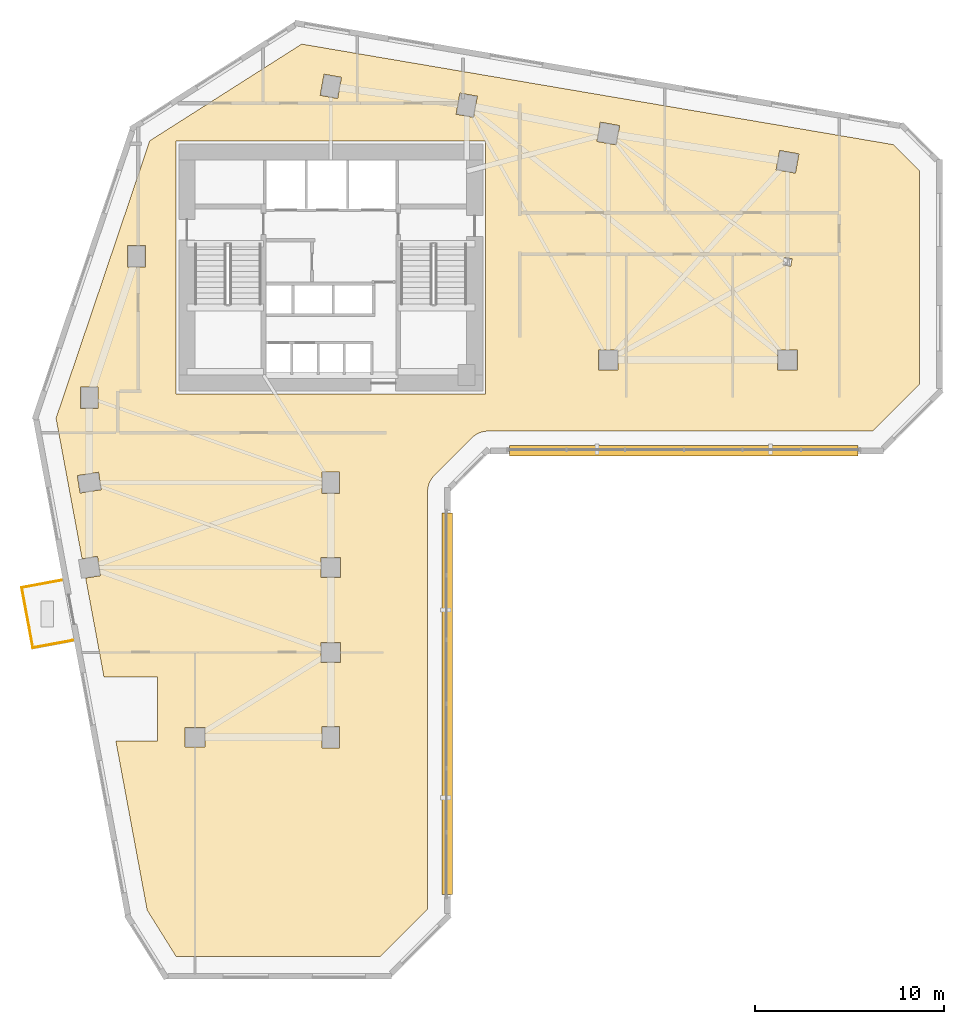
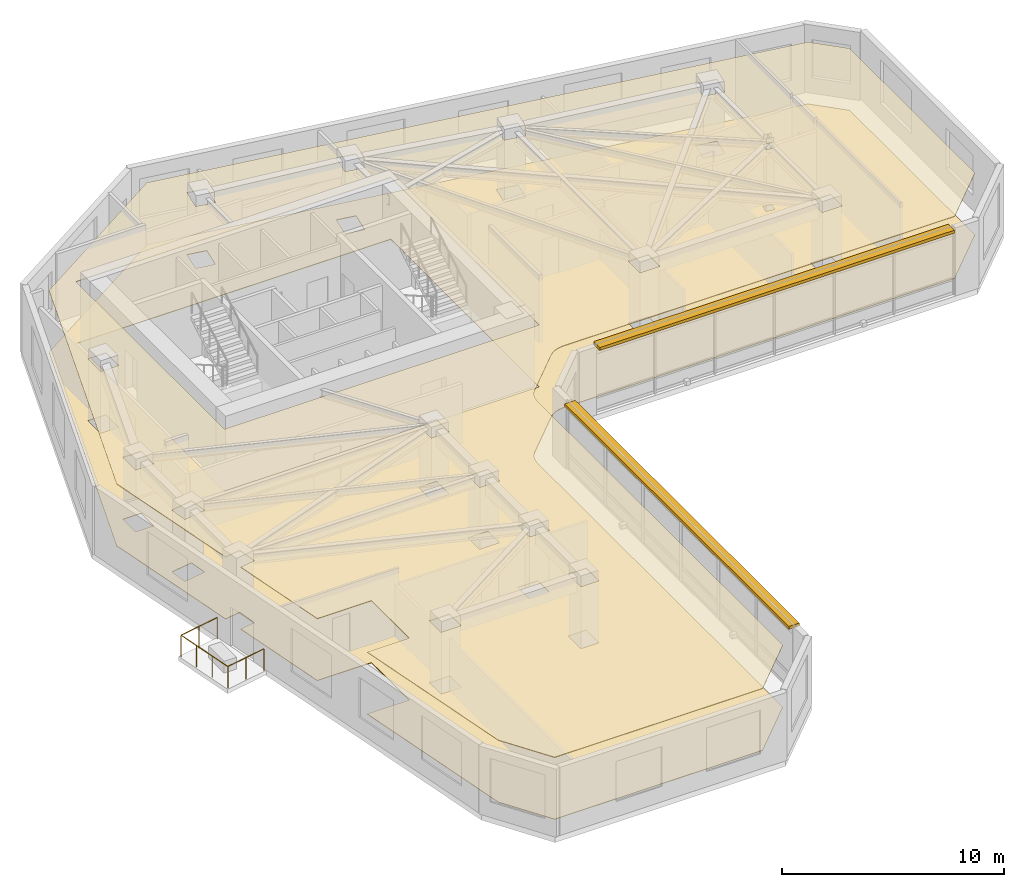
# One storey, part 8 of 9: 3 railings, 2 coverings, 2 shading devices.
"""IFC4 building model written with IfcOpenShell, lengths in metres."""

from ifc_helpers import new_model, si_unit, direction, frame, frame_2d, origin, origin_2d, place, context, subcontext, project, spatial, polyline, rectangle, circle, outline, extrude, material, layer, layer_set, type_object, element, save


model = new_model("IFC4")

# Units and contexts
model_context = context("Model", 3, precision=1e-05, world=origin(), true_north=direction((0.0, 1.0)))
body_context = subcontext(model_context, "Body", "Model", "MODEL_VIEW")
ifc_project = project(units=[si_unit("LENGTHUNIT", "METRE"), si_unit("AREAUNIT", "SQUARE_METRE"), si_unit("VOLUMEUNIT", "CUBIC_METRE"), si_unit("PLANEANGLEUNIT", "RADIAN"), si_unit("MASSUNIT", "GRAM", prefix="KILO")], contexts=[model_context])

# Site, building, storey
site_placement = place(None, origin())
site = spatial("IfcSite", under=ifc_project, at=site_placement, CompositionType="ELEMENT")
building_placement = place(site_placement, origin())
building = spatial("IfcBuilding", under=site, at=building_placement, Name="Calvemar Wedge Station Tower", CompositionType="ELEMENT")
storey_placement = place(building_placement, frame((0.0, 0.0, 63.0)))
storey = spatial("IfcBuildingStorey", under=building, at=storey_placement, Name="L15", CompositionType="ELEMENT", Elevation=63.0)

# Coverings
ifc_material_1 = material(Name="Acoustic mineral fibre ceiling board")
ifc_layer_1 = layer(ifc_material_1, 0.0400390625)
ifc_layer_set_1 = layer_set([ifc_layer_1], Name="Acoustic mineral fibre ceiling board")
covering_type_1 = type_object("IfcCoveringType", Name="COV-CEIL-ACOUSTIC", PredefinedType="CEILING", material=ifc_layer_set_1)
covering_1_placement = place(storey_placement, frame((0.0, 0.0, 3.39990234375)))
element("IfcCovering", 1, at=covering_1_placement, inside=storey, type_object=covering_type_1, Name="Storey L15 Acoustic Suspended Ceiling", PredefinedType="CEILING", context=body_context, shape_type="SweptSolid", body=[
    extrude(outline(polyline([(29.279541015625, 28.87646484375), (31.279541015625, 30.87646484375), (31.36669921875, 30.95556640625), (31.461181640625, 31.02587890625), (31.562255859375, 31.086181640625), (31.668701171875, 31.13671875), (31.77978515625, 31.17626953125), (31.893798828125, 31.204833984375), (32.010498046875, 31.22216796875), (32.1279296875, 31.22802734375), (52.5029296875, 31.22802734375), (55.0, 33.72509765625), (55.0, 45.031005859375), (53.621826171875, 46.408935546875), (22.25439453125, 51.739501953125), (14.201416015625, 46.614990234375), (9.23681640625, 31.911865234375), (10.6162109375, 24.465087890625), (11.43115234375, 24.595703125), (11.595703125, 23.56884765625), (10.805908203125, 23.4423828125), (11.777099609375, 18.199951171875), (14.60009765625, 18.199951171875), (14.60009765625, 14.800048828125), (12.406982421875, 14.800048828125), (14.06640625, 5.8427734375), (15.593017578125, 3.39990234375), (26.430908203125, 3.39990234375), (28.927978515625, 5.897216796875), (28.927978515625, 28.028076171875), (28.933837890625, 28.1455078125), (28.951171875, 28.26220703125), (28.979736328125, 28.376220703125), (29.019287109375, 28.4873046875), (29.069580078125, 28.59375), (29.130126953125, 28.694580078125), (29.200439453125, 28.789306640625), (29.279541015625, 28.87646484375)]), holes=[polyline([(15.60009765625, 46.60009765625), (32.0, 46.60009765625), (32.0, 33.199951171875), (15.60009765625, 33.199951171875), (15.60009765625, 46.60009765625)]), polyline([(10.530029296875, 32.429931640625), (10.530029296875, 33.570068359375), (11.469970703125, 33.570068359375), (11.469970703125, 32.429931640625), (10.530029296875, 32.429931640625)]), polyline([(13.030029296875, 41.070068359375), (13.969970703125, 41.070068359375), (13.969970703125, 39.929931640625), (13.030029296875, 39.929931640625), (13.030029296875, 41.070068359375)]), polyline([(24.363525390625, 49.977783203125), (24.16162109375, 48.855712890625), (23.236572265625, 49.022216796875), (23.4384765625, 50.144287109375), (24.363525390625, 49.977783203125)]), polyline([(31.361572265625, 47.855712890625), (30.4365234375, 48.022216796875), (30.638427734375, 49.144287109375), (31.5634765625, 48.977783203125), (31.361572265625, 47.855712890625)]), polyline([(37.89599609375, 46.580322265625), (38.080322265625, 47.60400390625), (39.10400390625, 47.419677734375), (38.919677734375, 46.39599609375), (37.89599609375, 46.580322265625)]), polyline([(47.580322265625, 46.10400390625), (48.60400390625, 45.919677734375), (48.419677734375, 44.89599609375), (47.39599609375, 45.080322265625), (47.580322265625, 46.10400390625)]), polyline([(39.02001953125, 35.52001953125), (39.02001953125, 34.47998046875), (37.97998046875, 34.47998046875), (37.97998046875, 35.52001953125), (39.02001953125, 35.52001953125)]), polyline([(48.52001953125, 34.47998046875), (47.47998046875, 34.47998046875), (47.47998046875, 35.52001953125), (48.52001953125, 35.52001953125), (48.52001953125, 34.47998046875)]), polyline([(47.759765625, 40.033935546875), (47.832763671875, 40.439453125), (48.240234375, 40.3662109375), (48.167236328125, 39.960693359375), (47.759765625, 40.033935546875)]), polyline([(11.488525390625, 29.05419921875), (11.63720703125, 28.126220703125), (10.511474609375, 27.94580078125), (10.36279296875, 28.873779296875), (11.488525390625, 29.05419921875)]), polyline([(24.27001953125, 27.929931640625), (23.330078125, 27.929931640625), (23.330078125, 29.070068359375), (24.27001953125, 29.070068359375), (24.27001953125, 27.929931640625)]), polyline([(23.280029296875, 23.47998046875), (23.280029296875, 24.52001953125), (24.320068359375, 24.52001953125), (24.320068359375, 23.47998046875), (23.280029296875, 23.47998046875)]), polyline([(23.280029296875, 20.02001953125), (24.320068359375, 20.02001953125), (24.320068359375, 18.97998046875), (23.280029296875, 18.97998046875), (23.280029296875, 20.02001953125)]), polyline([(24.27001953125, 15.570068359375), (24.27001953125, 14.429931640625), (23.330078125, 14.429931640625), (23.330078125, 15.570068359375), (24.27001953125, 15.570068359375)]), polyline([(17.1201171875, 14.47998046875), (16.080078125, 14.47998046875), (16.080078125, 15.52001953125), (17.1201171875, 15.52001953125), (17.1201171875, 14.47998046875)])]), origin(), (0.0, 0.0, 1.0), 0.0400390625),
])
ifc_material_2 = material(Name="Commercial raised access floor")
ifc_layer_2 = layer(ifc_material_2, 0.030029296875)
ifc_layer_set_2 = layer_set([ifc_layer_2], Name="Commercial raised access floor")
covering_type_2 = type_object("IfcCoveringType", Name="COV-FLR-RAISED", PredefinedType="FLOORING", material=ifc_layer_set_2)
covering_2_placement = place(storey_placement, origin())
element("IfcCovering", 2, at=covering_2_placement, inside=storey, type_object=covering_type_2, Name="Storey L15 Architectural Floor Finish", PredefinedType="FLOORING", context=body_context, shape_type="SweptSolid", body=[
    extrude(outline(polyline([(29.279541015625, 28.87646484375), (31.279541015625, 30.87646484375), (31.36669921875, 30.95556640625), (31.461181640625, 31.02587890625), (31.562255859375, 31.086181640625), (31.668701171875, 31.13671875), (31.77978515625, 31.17626953125), (31.893798828125, 31.204833984375), (32.010498046875, 31.22216796875), (32.1279296875, 31.22802734375), (52.5029296875, 31.22802734375), (55.0, 33.72509765625), (55.0, 45.031005859375), (53.621826171875, 46.408935546875), (22.25439453125, 51.739501953125), (14.201416015625, 46.614990234375), (9.23681640625, 31.911865234375), (10.6162109375, 24.465087890625), (11.43115234375, 24.595703125), (11.595703125, 23.56884765625), (10.805908203125, 23.4423828125), (11.777099609375, 18.199951171875), (14.60009765625, 18.199951171875), (14.60009765625, 14.800048828125), (12.406982421875, 14.800048828125), (14.06640625, 5.8427734375), (15.593017578125, 3.39990234375), (26.430908203125, 3.39990234375), (28.927978515625, 5.897216796875), (28.927978515625, 28.028076171875), (28.933837890625, 28.1455078125), (28.951171875, 28.26220703125), (28.979736328125, 28.376220703125), (29.019287109375, 28.4873046875), (29.069580078125, 28.59375), (29.130126953125, 28.694580078125), (29.200439453125, 28.789306640625), (29.279541015625, 28.87646484375)]), holes=[polyline([(15.60009765625, 46.60009765625), (32.0, 46.60009765625), (32.0, 33.199951171875), (15.60009765625, 33.199951171875), (15.60009765625, 46.60009765625)]), polyline([(10.530029296875, 32.429931640625), (10.530029296875, 33.570068359375), (11.469970703125, 33.570068359375), (11.469970703125, 32.429931640625), (10.530029296875, 32.429931640625)]), polyline([(13.030029296875, 41.070068359375), (13.969970703125, 41.070068359375), (13.969970703125, 39.929931640625), (13.030029296875, 39.929931640625), (13.030029296875, 41.070068359375)]), polyline([(24.363525390625, 49.977783203125), (24.16162109375, 48.855712890625), (23.236572265625, 49.022216796875), (23.4384765625, 50.144287109375), (24.363525390625, 49.977783203125)]), polyline([(31.361572265625, 47.855712890625), (30.4365234375, 48.022216796875), (30.638427734375, 49.144287109375), (31.5634765625, 48.977783203125), (31.361572265625, 47.855712890625)]), polyline([(37.89599609375, 46.580322265625), (38.080322265625, 47.60400390625), (39.10400390625, 47.419677734375), (38.919677734375, 46.39599609375), (37.89599609375, 46.580322265625)]), polyline([(47.580322265625, 46.10400390625), (48.60400390625, 45.919677734375), (48.419677734375, 44.89599609375), (47.39599609375, 45.080322265625), (47.580322265625, 46.10400390625)]), polyline([(39.02001953125, 35.52001953125), (39.02001953125, 34.47998046875), (37.97998046875, 34.47998046875), (37.97998046875, 35.52001953125), (39.02001953125, 35.52001953125)]), polyline([(48.52001953125, 34.47998046875), (47.47998046875, 34.47998046875), (47.47998046875, 35.52001953125), (48.52001953125, 35.52001953125), (48.52001953125, 34.47998046875)]), polyline([(47.759765625, 40.033935546875), (47.832763671875, 40.439453125), (48.240234375, 40.3662109375), (48.167236328125, 39.960693359375), (47.759765625, 40.033935546875)]), polyline([(11.488525390625, 29.05419921875), (11.63720703125, 28.126220703125), (10.511474609375, 27.94580078125), (10.36279296875, 28.873779296875), (11.488525390625, 29.05419921875)]), polyline([(24.27001953125, 27.929931640625), (23.330078125, 27.929931640625), (23.330078125, 29.070068359375), (24.27001953125, 29.070068359375), (24.27001953125, 27.929931640625)]), polyline([(23.280029296875, 23.47998046875), (23.280029296875, 24.52001953125), (24.320068359375, 24.52001953125), (24.320068359375, 23.47998046875), (23.280029296875, 23.47998046875)]), polyline([(23.280029296875, 20.02001953125), (24.320068359375, 20.02001953125), (24.320068359375, 18.97998046875), (23.280029296875, 18.97998046875), (23.280029296875, 20.02001953125)]), polyline([(24.27001953125, 15.570068359375), (24.27001953125, 14.429931640625), (23.330078125, 14.429931640625), (23.330078125, 15.570068359375), (24.27001953125, 15.570068359375)]), polyline([(17.1201171875, 14.47998046875), (16.080078125, 14.47998046875), (16.080078125, 15.52001953125), (17.1201171875, 15.52001953125), (17.1201171875, 14.47998046875)])]), origin(), (0.0, 0.0, 1.0), 0.030029296875),
])

# Railings
ifc_material_3 = material(Name="Stainless steel AISI 316L", Category="steel")
railing_type = type_object("IfcRailingType", Name="GRD-TERR-1200", PredefinedType="GUARDRAIL", material=ifc_material_3)
railing_1_placement = place(storey_placement, frame((10.11572265625, 20.14208984375, 0.0)))
element("IfcRailing", 3, at=railing_1_placement, inside=storey, type_object=railing_type, Name="Storey L15 Spiral Terrace Guard 2", PredefinedType="GUARDRAIL", context=body_context, shape_type="SweptSolid", body=[
    extrude(circle(Radius=0.02392578125, at=origin_2d()), frame((0.0, 0.0, 1.17578125), z_axis=(-0.983271414626, -0.182146438831, 0.0), x_axis=(0.182146438831, -0.983271414626, 0.0)), (0.0, 0.0, 1.0), 2.140625),
    extrude(circle(Radius=0.02099609375, at=origin_2d()), origin(), (0.0, 0.0, 1.0), 1.15185546875),
    extrude(circle(Radius=0.02099609375, at=origin_2d()), frame((-1.05224609375, -0.19482421875, 0.0)), (0.0, 0.0, 1.0), 1.15185546875),
    extrude(circle(Radius=0.02099609375, at=origin_2d()), frame((-2.104736328125, -0.389892578125, 0.0)), (0.0, 0.0, 1.0), 1.15185546875),
])
railing_2_placement = place(storey_placement, frame((8.010986328125, 19.752197265625, 0.0)))
element("IfcRailing", 4, at=railing_2_placement, inside=storey, type_object=railing_type, Name="Storey L15 Spiral Terrace Guard 3", PredefinedType="GUARDRAIL", context=body_context, shape_type="SweptSolid", body=[
    extrude(circle(Radius=0.02392578125, at=origin_2d()), frame((0.0, 0.0, 1.17578125), z_axis=(-0.182291560519, 0.983244520434, 0.0), x_axis=(-0.983244520434, -0.182291560519, 0.0)), (0.0, 0.0, 1.0), 3.240966796875),
    extrude(circle(Radius=0.02099609375, at=origin_2d()), origin(), (0.0, 0.0, 1.0), 1.15185546875),
    extrude(circle(Radius=0.02099609375, at=origin_2d()), frame((-0.197021484375, 1.062255859375, 0.0)), (0.0, 0.0, 1.0), 1.15185546875),
    extrude(circle(Radius=0.02099609375, at=origin_2d()), frame((-0.393798828125, 2.12451171875, 0.0)), (0.0, 0.0, 1.0), 1.15185546875),
    extrude(circle(Radius=0.02099609375, at=origin_2d()), frame((-0.5908203125, 3.186767578125, 0.0)), (0.0, 0.0, 1.0), 1.15185546875),
])
railing_3_placement = place(storey_placement, frame((7.420166015625, 22.93896484375, 0.0)))
element("IfcRailing", 5, at=railing_3_placement, inside=storey, type_object=railing_type, Name="Storey L15 Spiral Terrace Guard 4", PredefinedType="GUARDRAIL", context=body_context, shape_type="SweptSolid", body=[
    extrude(circle(Radius=0.02392578125, at=origin_2d()), frame((0.0, 0.0, 1.17578125), z_axis=(0.983271414626, 0.182146438831, 0.0), x_axis=(-0.182146438831, 0.983271414626, 0.0)), (0.0, 0.0, 1.0), 2.140625),
    extrude(circle(Radius=0.02099609375, at=origin_2d()), origin(), (0.0, 0.0, 1.0), 1.15185546875),
    extrude(circle(Radius=0.02099609375, at=origin_2d()), frame((1.05224609375, 0.19482421875, 0.0)), (0.0, 0.0, 1.0), 1.15185546875),
    extrude(circle(Radius=0.02099609375, at=origin_2d()), frame((2.104736328125, 0.389892578125, 0.0)), (0.0, 0.0, 1.0), 1.15185546875),
])

# Shading devices
ifc_material_4 = material(Name="Precast concrete C45", Category="concrete")
shading_device_type = type_object("IfcShadingDeviceType", Name="SHD-EYEBROW-1", PredefinedType="SHUTTER", material=ifc_material_4)
shading_device_1_placement = place(storey_placement, frame((29.9580078125, 6.662109375, 3.570068359375), z_axis=(0.0, 0.0, 1.0), x_axis=(0.0, 1.0, 0.0)))
element("IfcShadingDevice", 6, at=shading_device_1_placement, inside=storey, type_object=shading_device_type, Name="Storey L15 Bronze GFRC Solar Eyebrow 4", PredefinedType="SHUTTER", context=body_context, shape_type="SweptSolid", body=[
    extrude(rectangle(XDim=20.22802734375, YDim=0.550048828125, at=frame_2d((10.114013671875, 0.0))), origin(), (0.0, 0.0, 1.0), 0.159912109375),
])
shading_device_2_placement = place(storey_placement, frame((33.265869140625, 30.197998046875, 3.570068359375), z_axis=(0.0, 0.0, 1.0), x_axis=(1.0, 0.0, 0.0)))
element("IfcShadingDevice", 7, at=shading_device_2_placement, inside=storey, type_object=shading_device_type, Name="Storey L15 Bronze GFRC Solar Eyebrow 6", PredefinedType="SHUTTER", context=body_context, shape_type="SweptSolid", body=[
    extrude(rectangle(XDim=18.471923828125, YDim=0.550048828125, at=frame_2d((9.23583984375, 0.0))), origin(), (0.0, 0.0, 1.0), 0.159912109375),
])

save(model, "model.ifc")
